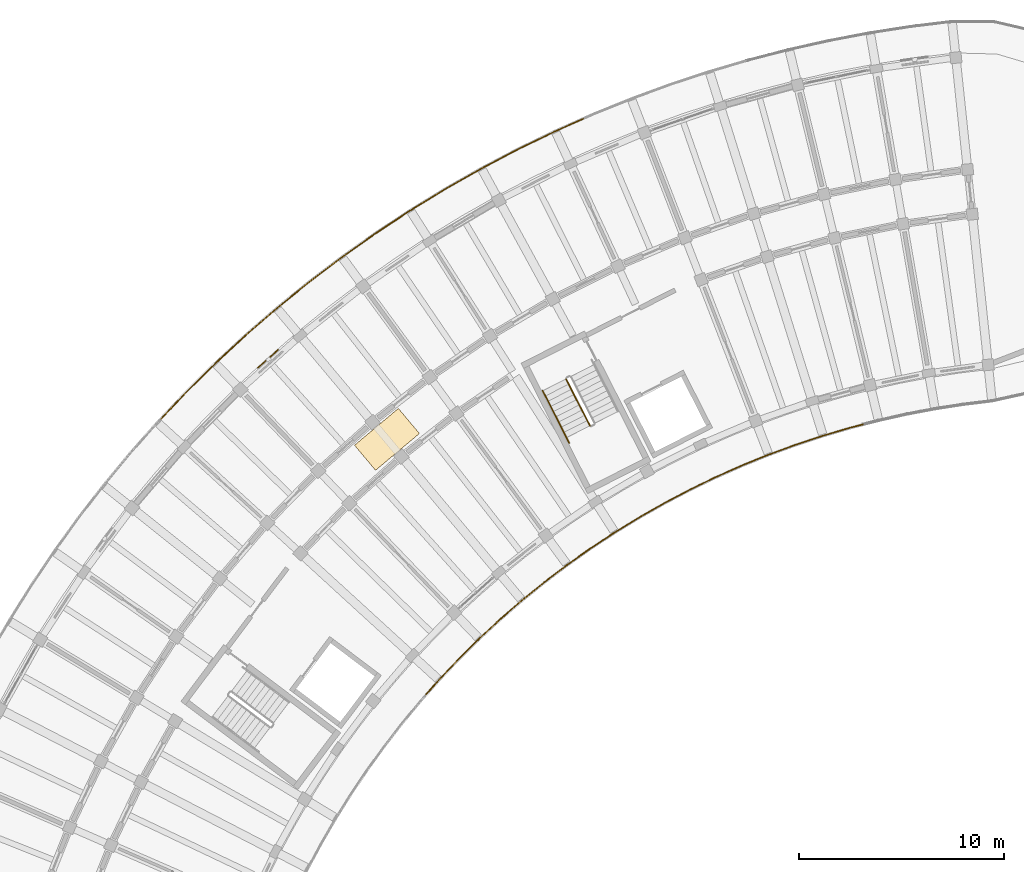
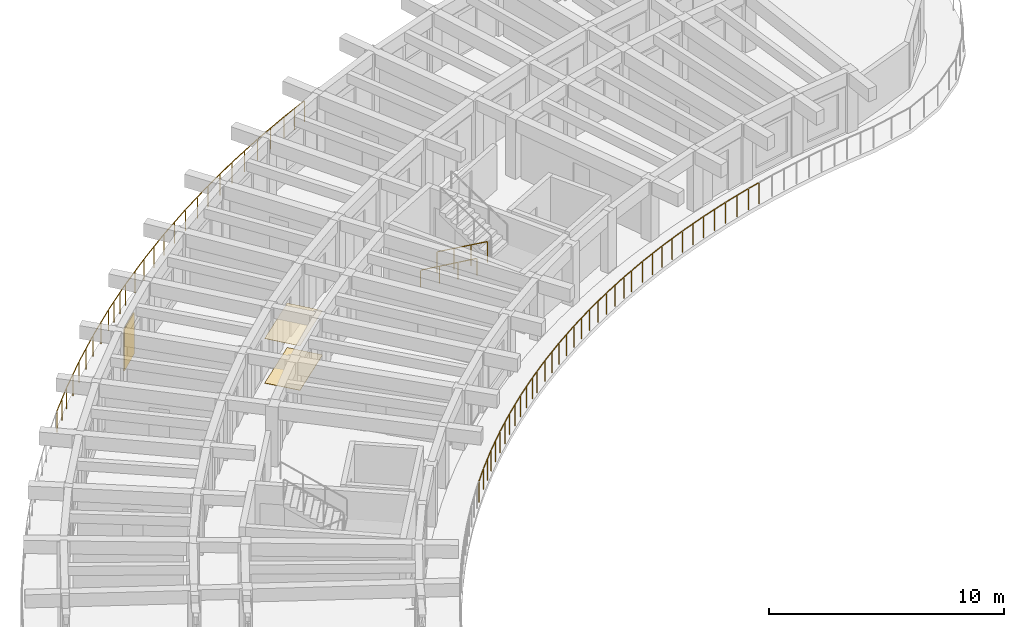
# One storey, part 85 of 96: 10 railings, 2 coverings, 1 shading device.
"""IFC4 building model written with IfcOpenShell, lengths in metres."""

from ifc_helpers import new_model, si_unit, direction, frame, origin, origin_2d, place, context, subcontext, project, spatial, rectangle, circle, extrude, material, layer, layer_set, type_object, element, save


model = new_model("IFC4")

# Units and contexts
model_context = context("Model", 3, precision=1e-05, world=origin(), true_north=direction((0.0, 1.0)))
body_context = subcontext(model_context, "Body", "Model", "MODEL_VIEW")
ifc_project = project(units=[si_unit("LENGTHUNIT", "METRE"), si_unit("AREAUNIT", "SQUARE_METRE"), si_unit("VOLUMEUNIT", "CUBIC_METRE"), si_unit("PLANEANGLEUNIT", "RADIAN"), si_unit("MASSUNIT", "GRAM", prefix="KILO")], contexts=[model_context])

# Site, building, storey
site_placement = place(None, origin())
site = spatial("IfcSite", under=ifc_project, at=site_placement, CompositionType="ELEMENT")
building_placement = place(site_placement, origin())
building = spatial("IfcBuilding", under=site, at=building_placement, Name="Tanwirah Colonnade Gardens", CompositionType="ELEMENT")
storey_placement = place(building_placement, frame((0.0, 0.0, 12.199951171875)))
storey = spatial("IfcBuildingStorey", under=building, at=storey_placement, Name="L03", CompositionType="ELEMENT", Elevation=12.199951171875)

# Railings
ifc_material_1 = material(Name="Precast concrete C40/50", Category="concrete")
railing_type_1 = type_object("IfcRailingType", Name="BAL-EXT112", PredefinedType="BALUSTRADE", material=ifc_material_1)
railing_1_placement = place(storey_placement, frame((54.236083984375, 101.494384765625, 0.0)))
element("IfcRailing", 1, at=railing_1_placement, inside=storey, type_object=railing_type_1, Name="Block A L03 Balcony Ribbon Balustrade 2", PredefinedType="BALUSTRADE", context=body_context, shape_type="SweptSolid", body=[
    extrude(circle(Radius=0.02392578125, at=origin_2d()), frame((-0.0302734375, -0.0078125, 1.09619140625), z_axis=(-0.968166647099, -0.250306499006, 0.0), x_axis=(0.250306499006, -0.968166647099, 0.0)), (0.0, 0.0, 1.0), 0.557861328125),
    extrude(circle(Radius=0.02392578125, at=origin_2d()), frame((-0.63330078125, -0.164794921875, 1.09619140625), z_axis=(-0.959362733044, -0.282175736812, 0.0), x_axis=(0.282175736812, -0.959362733044, 0.0)), (0.0, 0.0, 1.0), 1.341796875),
    extrude(circle(Radius=0.02392578125, at=origin_2d()), frame((-1.98291015625, -0.562744140625, 1.09619140625), z_axis=(-0.949531842797, -0.313670654533, 0.0), x_axis=(0.313670654533, -0.949531842797, 0.0)), (0.0, 0.0, 1.0), 1.341552734375),
    extrude(circle(Radius=0.02392578125, at=origin_2d()), frame((-3.318359375, -1.005126953125, 1.09619140625), z_axis=(-0.93868698515, -0.344770567059, 0.0), x_axis=(0.344770567059, -0.93868698515, 0.0)), (0.0, 0.0, 1.0), 1.341796875),
    extrude(circle(Radius=0.02392578125, at=origin_2d()), frame((-4.638671875, -1.4912109375, 1.09619140625), z_axis=(-0.92683738147, -0.375463005247, 0.0), x_axis=(0.375463005247, -0.92683738147, 0.0)), (0.0, 0.0, 1.0), 1.342041015625),
    extrude(circle(Radius=0.02392578125, at=origin_2d()), frame((-5.942138671875, -2.0205078125, 1.09619140625), z_axis=(-0.913997826773, -0.40571908096, 0.0), x_axis=(0.40571908096, -0.913997826773, 0.0)), (0.0, 0.0, 1.0), 1.342041015625),
    extrude(circle(Radius=0.02392578125, at=origin_2d()), frame((-7.2275390625, -2.592529296875, 1.09619140625), z_axis=(-0.900038195948, -0.435811020783, 0.0), x_axis=(0.435811020783, -0.900038195948, 0.0)), (0.0, 0.0, 1.0), 0.779541015625),
    extrude(circle(Radius=0.02099609375, at=origin_2d()), origin(), (0.0, 0.0, 1.0), 1.069091796875),
    extrude(circle(Radius=0.02099609375, at=origin_2d()), frame((-0.6005859375, -0.1552734375, 0.0)), (0.0, 0.0, 1.0), 1.069091796875),
    extrude(circle(Radius=0.02099609375, at=origin_2d()), frame((-1.27685546875, -0.35400390625, 0.0)), (0.0, 0.0, 1.0), 1.069091796875),
    extrude(circle(Radius=0.02099609375, at=origin_2d()), frame((-1.950439453125, -0.55224609375, 0.0)), (0.0, 0.0, 1.0), 1.069091796875),
    extrude(circle(Radius=0.02099609375, at=origin_2d()), frame((-2.61962890625, -0.773193359375, 0.0)), (0.0, 0.0, 1.0), 1.069091796875),
    extrude(circle(Radius=0.02099609375, at=origin_2d()), frame((-3.286376953125, -0.993408203125, 0.0)), (0.0, 0.0, 1.0), 1.069091796875),
    extrude(circle(Radius=0.02099609375, at=origin_2d()), frame((-3.9482421875, -1.236328125, 0.0)), (0.0, 0.0, 1.0), 1.069091796875),
    extrude(circle(Radius=0.02099609375, at=origin_2d()), frame((-4.607177734375, -1.478515625, 0.0)), (0.0, 0.0, 1.0), 1.069091796875),
    extrude(circle(Radius=0.02099609375, at=origin_2d()), frame((-5.260498046875, -1.7431640625, 0.0)), (0.0, 0.0, 1.0), 1.069091796875),
    extrude(circle(Radius=0.02099609375, at=origin_2d()), frame((-5.911376953125, -2.0068359375, 0.0)), (0.0, 0.0, 1.0), 1.069091796875),
    extrude(circle(Radius=0.02099609375, at=origin_2d()), frame((-6.555419921875, -2.292724609375, 0.0)), (0.0, 0.0, 1.0), 1.069091796875),
    extrude(circle(Radius=0.02099609375, at=origin_2d()), frame((-7.197265625, -2.57763671875, 0.0)), (0.0, 0.0, 1.0), 1.069091796875),
    extrude(circle(Radius=0.02099609375, at=origin_2d()), frame((-7.957275390625, -2.94580078125, 0.0)), (0.0, 0.0, 1.0), 1.069091796875),
])
railing_2_placement = place(storey_placement, frame((46.27880859375, 98.548583984375, 0.0)))
element("IfcRailing", 2, at=railing_2_placement, inside=storey, type_object=railing_type_1, Name="Block A L03 Balcony Ribbon Balustrade 3", PredefinedType="BALUSTRADE", context=body_context, shape_type="SweptSolid", body=[
    extrude(circle(Radius=0.02392578125, at=origin_2d()), frame((-0.028076171875, -0.013671875, 1.09619140625), z_axis=(-0.900252558568, -0.435368040619, 0.0), x_axis=(0.435368040619, -0.900252558568, 0.0)), (0.0, 0.0, 1.0), 0.5),
    extrude(circle(Radius=0.02392578125, at=origin_2d()), frame((-0.5361328125, -0.2607421875, 1.09619140625), z_axis=(-0.885204649416, -0.465201814972, 0.0), x_axis=(0.465201814972, -0.885204649416, 0.0)), (0.0, 0.0, 1.0), 1.341796875),
    extrude(circle(Radius=0.02392578125, at=origin_2d()), frame((-1.78125, -0.916015625, 1.09619140625), z_axis=(-0.869342839865, -0.494209496848, 0.0), x_axis=(0.494209496848, -0.869342839865, 0.0)), (0.0, 0.0, 1.0), 1.342041015625),
    extrude(circle(Radius=0.02392578125, at=origin_2d()), frame((-3.00390625, -1.6123046875, 1.09619140625), z_axis=(-0.852623736113, -0.522525372223, 0.0), x_axis=(0.522525372223, -0.852623736113, 0.0)), (0.0, 0.0, 1.0), 1.342041015625),
    extrude(circle(Radius=0.02392578125, at=origin_2d()), frame((-4.203125, -2.34814453125, 1.09619140625), z_axis=(-0.834927342507, -0.550360184547, 0.0), x_axis=(0.550360184547, -0.834927342507, 0.0)), (0.0, 0.0, 1.0), 1.341796875),
    extrude(circle(Radius=0.02392578125, at=origin_2d()), frame((-5.37744140625, -3.12353515625, 1.09619140625), z_axis=(-0.816321661452, -0.577597563226, 0.0), x_axis=(0.577597563226, -0.816321661452, 0.0)), (0.0, 0.0, 1.0), 1.341552734375),
    extrude(circle(Radius=0.02392578125, at=origin_2d()), frame((-6.525146484375, -3.936767578125, 1.09619140625), z_axis=(-0.796799330669, -0.604244012502, 0.0), x_axis=(0.604244012502, -0.796799330669, 0.0)), (0.0, 0.0, 1.0), 0.837646484375),
    extrude(circle(Radius=0.02099609375, at=origin_2d()), origin(), (0.0, 0.0, 1.0), 1.069091796875),
    extrude(circle(Radius=0.02099609375, at=origin_2d()), frame((-0.50634765625, -0.244873046875, 0.0)), (0.0, 0.0, 1.0), 1.069091796875),
    extrude(circle(Radius=0.02099609375, at=origin_2d()), frame((-1.130126953125, -0.57275390625, 0.0)), (0.0, 0.0, 1.0), 1.069091796875),
    extrude(circle(Radius=0.02099609375, at=origin_2d()), frame((-1.751708984375, -0.8994140625, 0.0)), (0.0, 0.0, 1.0), 1.069091796875),
    extrude(circle(Radius=0.02099609375, at=origin_2d()), frame((-2.36474609375, -1.24755859375, 0.0)), (0.0, 0.0, 1.0), 1.069091796875),
    extrude(circle(Radius=0.02099609375, at=origin_2d()), frame((-2.97509765625, -1.5947265625, 0.0)), (0.0, 0.0, 1.0), 1.069091796875),
    extrude(circle(Radius=0.02099609375, at=origin_2d()), frame((-3.576171875, -1.962890625, 0.0)), (0.0, 0.0, 1.0), 1.069091796875),
    extrude(circle(Radius=0.02099609375, at=origin_2d()), frame((-4.1748046875, -2.329833984375, 0.0)), (0.0, 0.0, 1.0), 1.069091796875),
    extrude(circle(Radius=0.02099609375, at=origin_2d()), frame((-4.76318359375, -2.717529296875, 0.0)), (0.0, 0.0, 1.0), 1.069091796875),
    extrude(circle(Radius=0.02099609375, at=origin_2d()), frame((-5.349609375, -3.10400390625, 0.0)), (0.0, 0.0, 1.0), 1.069091796875),
    extrude(circle(Radius=0.02099609375, at=origin_2d()), frame((-5.9248046875, -3.510986328125, 0.0)), (0.0, 0.0, 1.0), 1.069091796875),
    extrude(circle(Radius=0.02099609375, at=origin_2d()), frame((-6.498046875, -3.91650390625, 0.0)), (0.0, 0.0, 1.0), 1.069091796875),
    extrude(circle(Radius=0.02099609375, at=origin_2d()), frame((-7.217529296875, -4.4619140625, 0.0)), (0.0, 0.0, 1.0), 1.069091796875),
])
railing_3_placement = place(storey_placement, frame((39.061279296875, 94.086669921875, 0.0)))
element("IfcRailing", 3, at=railing_3_placement, inside=storey, type_object=railing_type_1, Name="Block A L03 Balcony Ribbon Balustrade 4", PredefinedType="BALUSTRADE", context=body_context, shape_type="SweptSolid", body=[
    extrude(circle(Radius=0.02392578125, at=origin_2d()), frame((-0.02490234375, -0.018798828125, 1.09619140625), z_axis=(-0.796852005176, -0.604174545845, 0.0), x_axis=(0.604174545845, -0.796852005176, 0.0)), (0.0, 0.0, 1.0), 0.44189453125),
    extrude(circle(Radius=0.02392578125, at=origin_2d()), frame((-0.427978515625, -0.325927734375, 1.09619140625), z_axis=(-0.776491375378, -0.630127879056, 0.0), x_axis=(0.630127879056, -0.776491375378, 0.0)), (0.0, 0.0, 1.0), 1.342041015625),
    extrude(circle(Radius=0.02392578125, at=origin_2d()), frame((-1.52001953125, -1.21337890625, 1.09619140625), z_axis=(-0.755402192857, -0.655261418845, 0.0), x_axis=(0.655261418845, -0.755402192857, 0.0)), (0.0, 0.0, 1.0), 1.341796875),
    extrude(circle(Radius=0.02392578125, at=origin_2d()), frame((-2.58203125, -2.135986328125, 1.09619140625), z_axis=(-0.73336899588, -0.679830799451, 0.0), x_axis=(0.679830799451, -0.73336899588, 0.0)), (0.0, 0.0, 1.0), 1.342041015625),
    extrude(circle(Radius=0.02392578125, at=origin_2d()), frame((-3.61328125, -3.09326171875, 1.09619140625), z_axis=(-0.710488556831, -0.703708754111, 0.0), x_axis=(0.703708754111, -0.710488556831, 0.0)), (0.0, 0.0, 1.0), 1.341796875),
    extrude(circle(Radius=0.02392578125, at=origin_2d()), frame((-4.612060546875, -4.084228515625, 1.09619140625), z_axis=(-0.687011382404, -0.726646654466, 0.0), x_axis=(0.726646654466, -0.687011382404, 0.0)), (0.0, 0.0, 1.0), 1.341796875),
    extrude(circle(Radius=0.02392578125, at=origin_2d()), frame((-5.577880859375, -5.107421875, 1.09619140625), z_axis=(-0.662590378068, -0.74898196967, 0.0), x_axis=(0.74898196967, -0.662590378068, 0.0)), (0.0, 0.0, 1.0), 0.8955078125),
    extrude(circle(Radius=0.02099609375, at=origin_2d()), origin(), (0.0, 0.0, 1.0), 1.069091796875),
    extrude(circle(Radius=0.02099609375, at=origin_2d()), frame((-0.40185546875, -0.3046875, 0.0)), (0.0, 0.0, 1.0), 1.069091796875),
    extrude(circle(Radius=0.02099609375, at=origin_2d()), frame((-0.94921875, -0.74853515625, 0.0)), (0.0, 0.0, 1.0), 1.069091796875),
    extrude(circle(Radius=0.02099609375, at=origin_2d()), frame((-1.494384765625, -1.191162109375, 0.0)), (0.0, 0.0, 1.0), 1.069091796875),
    extrude(circle(Radius=0.02099609375, at=origin_2d()), frame((-2.02685546875, -1.65283203125, 0.0)), (0.0, 0.0, 1.0), 1.069091796875),
    extrude(circle(Radius=0.02099609375, at=origin_2d()), frame((-2.55712890625, -2.113037109375, 0.0)), (0.0, 0.0, 1.0), 1.069091796875),
    extrude(circle(Radius=0.02099609375, at=origin_2d()), frame((-3.07421875, -2.59228515625, 0.0)), (0.0, 0.0, 1.0), 1.069091796875),
    extrude(circle(Radius=0.02099609375, at=origin_2d()), frame((-3.589111328125, -3.069580078125, 0.0)), (0.0, 0.0, 1.0), 1.069091796875),
    extrude(circle(Radius=0.02099609375, at=origin_2d()), frame((-4.08984375, -3.5654296875, 0.0)), (0.0, 0.0, 1.0), 1.069091796875),
    extrude(circle(Radius=0.02099609375, at=origin_2d()), frame((-4.5888671875, -4.0595703125, 0.0)), (0.0, 0.0, 1.0), 1.069091796875),
    extrude(circle(Radius=0.02099609375, at=origin_2d()), frame((-5.072998046875, -4.57177734375, 0.0)), (0.0, 0.0, 1.0), 1.069091796875),
    extrude(circle(Radius=0.02099609375, at=origin_2d()), frame((-5.555419921875, -5.08203125, 0.0)), (0.0, 0.0, 1.0), 1.069091796875),
    extrude(circle(Radius=0.02099609375, at=origin_2d()), frame((-6.19189453125, -5.801513671875, 0.0)), (0.0, 0.0, 1.0), 1.069091796875),
])
railing_4_placement = place(storey_placement, frame((19.91796875, 101.760986328125, 0.0)))
element("IfcRailing", 4, at=railing_4_placement, inside=storey, type_object=railing_type_1, Name="Block A L03 Balcony Ribbon Balustrade 14", PredefinedType="BALUSTRADE", context=body_context, shape_type="SweptSolid", body=[
    extrude(circle(Radius=0.02392578125, at=origin_2d()), frame((0.021484375, 0.022705078125, 1.09619140625), z_axis=(0.686974448696, 0.726681571831, 0.0), x_axis=(-0.726681571831, 0.686974448696, 0.0)), (0.0, 0.0, 1.0), 1.71435546875),
    extrude(circle(Radius=0.02392578125, at=origin_2d()), frame((1.242919921875, 1.313232421875, 1.09619140625), z_axis=(0.710480209462, 0.703717181801, 0.0), x_axis=(-0.703717181801, 0.710480209462, 0.0)), (0.0, 0.0, 1.0), 1.958984375),
    extrude(circle(Radius=0.02392578125, at=origin_2d()), frame((2.679931640625, 2.735107421875, 1.09619140625), z_axis=(0.733352454033, 0.679848643569, 0.0), x_axis=(-0.679848643569, 0.733352454033, 0.0)), (0.0, 0.0, 1.0), 1.958984375),
    extrude(circle(Radius=0.02392578125, at=origin_2d()), frame((4.1630859375, 4.108642578125, 1.09619140625), z_axis=(0.755338292497, 0.655335077565, 0.0), x_axis=(-0.655335077565, 0.755338292497, 0.0)), (0.0, 0.0, 1.0), 1.958984375),
    extrude(circle(Radius=0.02392578125, at=origin_2d()), frame((5.6904296875, 5.4326171875, 1.09619140625), z_axis=(0.776510659425, 0.630104115047, 0.0), x_axis=(-0.630104115047, 0.776510659425, 0.0)), (0.0, 0.0, 1.0), 0.59619140625),
    extrude(circle(Radius=0.02099609375, at=origin_2d()), origin(), (0.0, 0.0, 1.0), 1.069091796875),
    extrude(circle(Radius=0.02099609375, at=origin_2d()), frame((0.6103515625, 0.6455078125, 0.0)), (0.0, 0.0, 1.0), 1.069091796875),
    extrude(circle(Radius=0.02099609375, at=origin_2d()), frame((1.220703125, 1.291259765625, 0.0)), (0.0, 0.0, 1.0), 1.069091796875),
    extrude(circle(Radius=0.02099609375, at=origin_2d()), frame((1.93896484375, 2.00244140625, 0.0)), (0.0, 0.0, 1.0), 1.069091796875),
    extrude(circle(Radius=0.02099609375, at=origin_2d()), frame((2.656982421875, 2.7138671875, 0.0)), (0.0, 0.0, 1.0), 1.069091796875),
    extrude(circle(Radius=0.02099609375, at=origin_2d()), frame((3.398193359375, 3.40087890625, 0.0)), (0.0, 0.0, 1.0), 1.069091796875),
    extrude(circle(Radius=0.02099609375, at=origin_2d()), frame((4.139404296875, 4.088134765625, 0.0)), (0.0, 0.0, 1.0), 1.069091796875),
    extrude(circle(Radius=0.02099609375, at=origin_2d()), frame((4.90283203125, 4.75048828125, 0.0)), (0.0, 0.0, 1.0), 1.069091796875),
    extrude(circle(Radius=0.02099609375, at=origin_2d()), frame((5.666259765625, 5.412841796875, 0.0)), (0.0, 0.0, 1.0), 1.069091796875),
    extrude(circle(Radius=0.02099609375, at=origin_2d()), frame((6.177734375, 5.827880859375, 0.0)), (0.0, 0.0, 1.0), 1.069091796875),
])
railing_5_placement = place(storey_placement, frame((26.095703125, 107.5888671875, 0.0)))
element("IfcRailing", 5, at=railing_5_placement, inside=storey, type_object=railing_type_1, Name="Block A L03 Balcony Ribbon Balustrade 15", PredefinedType="BALUSTRADE", context=body_context, shape_type="SweptSolid", body=[
    extrude(circle(Radius=0.02392578125, at=origin_2d()), frame((0.024169921875, 0.019775390625, 1.09619140625), z_axis=(0.776568601174, 0.630032703652, 0.0), x_axis=(-0.630032703652, 0.776568601174, 0.0)), (0.0, 0.0, 1.0), 1.30029296875),
    extrude(circle(Radius=0.02392578125, at=origin_2d()), frame((1.083251953125, 0.87744140625, 1.09619140625), z_axis=(0.796887753746, 0.604127393792, 0.0), x_axis=(-0.604127393792, 0.796887753746, 0.0)), (0.0, 0.0, 1.0), 1.958984375),
    extrude(circle(Radius=0.02392578125, at=origin_2d()), frame((2.69482421875, 2.097900390625, 1.09619140625), z_axis=(0.816344803849, 0.577564854565, 0.0), x_axis=(-0.577564854565, 0.816344803849, 0.0)), (0.0, 0.0, 1.0), 1.958740234375),
    extrude(circle(Radius=0.02392578125, at=origin_2d()), frame((4.345458984375, 3.264404296875, 1.09619140625), z_axis=(0.834955682369, 0.550317188973, 0.0), x_axis=(-0.550317188973, 0.834955682369, 0.0)), (0.0, 0.0, 1.0), 1.959228515625),
    extrude(circle(Radius=0.02392578125, at=origin_2d()), frame((6.033935546875, 4.376220703125, 1.09619140625), z_axis=(0.852594710096, 0.522572732082, 0.0), x_axis=(-0.522572732082, 0.852594710096, 0.0)), (0.0, 0.0, 1.0), 1.01025390625),
    extrude(circle(Radius=0.02099609375, at=origin_2d()), origin(), (0.0, 0.0, 1.0), 1.069091796875),
    extrude(circle(Radius=0.02099609375, at=origin_2d()), frame((0.529296875, 0.42919921875, 0.0)), (0.0, 0.0, 1.0), 1.069091796875),
    extrude(circle(Radius=0.02099609375, at=origin_2d()), frame((1.058349609375, 0.858642578125, 0.0)), (0.0, 0.0, 1.0), 1.069091796875),
    extrude(circle(Radius=0.02099609375, at=origin_2d()), frame((1.86376953125, 1.46923828125, 0.0)), (0.0, 0.0, 1.0), 1.069091796875),
    extrude(circle(Radius=0.02099609375, at=origin_2d()), frame((2.669189453125, 2.079833984375, 0.0)), (0.0, 0.0, 1.0), 1.069091796875),
    extrude(circle(Radius=0.02099609375, at=origin_2d()), frame((3.494140625, 2.66357421875, 0.0)), (0.0, 0.0, 1.0), 1.069091796875),
    extrude(circle(Radius=0.02099609375, at=origin_2d()), frame((4.3193359375, 3.247314453125, 0.0)), (0.0, 0.0, 1.0), 1.069091796875),
    extrude(circle(Radius=0.02099609375, at=origin_2d()), frame((5.163330078125, 3.8037109375, 0.0)), (0.0, 0.0, 1.0), 1.069091796875),
    extrude(circle(Radius=0.02099609375, at=origin_2d()), frame((6.00732421875, 4.35986328125, 0.0)), (0.0, 0.0, 1.0), 1.069091796875),
    extrude(circle(Radius=0.02099609375, at=origin_2d()), frame((6.921875, 4.92041015625, 0.0)), (0.0, 0.0, 1.0), 1.069091796875),
])
railing_6_placement = place(storey_placement, frame((33.017578125, 112.50927734375, 0.0)))
element("IfcRailing", 6, at=railing_6_placement, inside=storey, type_object=railing_type_1, Name="Block A L03 Balcony Ribbon Balustrade 16", PredefinedType="BALUSTRADE", context=body_context, shape_type="SweptSolid", body=[
    extrude(circle(Radius=0.02392578125, at=origin_2d()), frame((0.026611328125, 0.016357421875, 1.09619140625), z_axis=(0.852734357798, 0.522344823877, 0.0), x_axis=(-0.522344823877, 0.852734357798, 0.0)), (0.0, 0.0, 1.0), 0.88623046875),
    extrude(circle(Radius=0.02392578125, at=origin_2d()), frame((0.836181640625, 0.510986328125, 1.09619140625), z_axis=(0.869392881113, 0.494121461049, 0.0), x_axis=(-0.494121461049, 0.869392881113, 0.0)), (0.0, 0.0, 1.0), 1.958740234375),
    extrude(circle(Radius=0.02392578125, at=origin_2d()), frame((2.593994140625, 1.509033203125, 1.09619140625), z_axis=(0.885211446817, 0.465188880374, 0.0), x_axis=(-0.465188880374, 0.885211446817, 0.0)), (0.0, 0.0, 1.0), 1.958984375),
    extrude(circle(Radius=0.02392578125, at=origin_2d()), frame((4.384033203125, 2.448486328125, 1.09619140625), z_axis=(0.900055350621, 0.435775591122, 0.0), x_axis=(-0.435775591122, 0.900055350621, 0.0)), (0.0, 0.0, 1.0), 1.958740234375),
    extrude(circle(Radius=0.02392578125, at=origin_2d()), frame((6.203857421875, 3.328369140625, 1.09619140625), z_axis=(0.913919852198, 0.405894695406, 0.0), x_axis=(-0.405894695406, 0.913919852198, 0.0)), (0.0, 0.0, 1.0), 1.42431640625),
    extrude(circle(Radius=0.02099609375, at=origin_2d()), origin(), (0.0, 0.0, 1.0), 1.069091796875),
    extrude(circle(Radius=0.02099609375, at=origin_2d()), frame((0.80908203125, 0.49560546875, 0.0)), (0.0, 0.0, 1.0), 1.069091796875),
    extrude(circle(Radius=0.02099609375, at=origin_2d()), frame((1.687744140625, 0.9951171875, 0.0)), (0.0, 0.0, 1.0), 1.069091796875),
    extrude(circle(Radius=0.02099609375, at=origin_2d()), frame((2.56640625, 1.494384765625, 0.0)), (0.0, 0.0, 1.0), 1.069091796875),
    extrude(circle(Radius=0.02099609375, at=origin_2d()), frame((3.461181640625, 1.964599609375, 0.0)), (0.0, 0.0, 1.0), 1.069091796875),
    extrude(circle(Radius=0.02099609375, at=origin_2d()), frame((4.35595703125, 2.434814453125, 0.0)), (0.0, 0.0, 1.0), 1.069091796875),
    extrude(circle(Radius=0.02099609375, at=origin_2d()), frame((5.265625, 2.875244140625, 0.0)), (0.0, 0.0, 1.0), 1.069091796875),
    extrude(circle(Radius=0.02099609375, at=origin_2d()), frame((6.17529296875, 3.315673828125, 0.0)), (0.0, 0.0, 1.0), 1.069091796875),
    extrude(circle(Radius=0.02099609375, at=origin_2d()), frame((6.854736328125, 3.617431640625, 0.0)), (0.0, 0.0, 1.0), 1.069091796875),
    extrude(circle(Radius=0.02099609375, at=origin_2d()), frame((7.5341796875, 3.919189453125, 0.0)), (0.0, 0.0, 1.0), 1.069091796875),
])

# Coverings
ifc_material_2 = material(Name="Acoustic perforated gypsum ceiling board")
ifc_layer_1 = layer(ifc_material_2, 0.014892578125)
ifc_layer_set_1 = layer_set([ifc_layer_1], Name="Acoustic perforated gypsum ceiling board")
covering_type_1 = type_object("IfcCoveringType", Name="COV-CEIL15", PredefinedType="CEILING", material=ifc_layer_set_1)
covering_1_placement = place(storey_placement, frame((30.96435546875, 100.761962890625, 2.3125), z_axis=(0.0, 0.0, 1.0), x_axis=(-0.766044443119, -0.642787609687, 0.0)))
element("IfcCovering", 7, at=covering_1_placement, inside=storey, type_object=covering_type_1, Name="Block A L03 Corridor Acoustic Ceiling", PredefinedType="CEILING", context=body_context, shape_type="SweptSolid", body=[
    extrude(rectangle(XDim=2.800048828125, YDim=1.60009765625, at=origin_2d()), origin(), (0.0, 0.0, 1.0), 0.014892578125),
])
ifc_material_3 = material(Name="Honed Abu Dhabi limestone terrazzo flooring", Category="masonry")
ifc_layer_2 = layer(ifc_material_3, 0.02001953125)
ifc_layer_set_2 = layer_set([ifc_layer_2], Name="Honed Abu Dhabi limestone terrazzo flooring")
covering_type_2 = type_object("IfcCoveringType", Name="COV-FLR20", PredefinedType="FLOORING", material=ifc_layer_set_2)
covering_2_placement = place(storey_placement, frame((30.96435546875, 100.761962890625, 0.0), z_axis=(0.0, 0.0, 1.0), x_axis=(-0.766044443119, -0.642787609687, 0.0)))
element("IfcCovering", 8, at=covering_2_placement, inside=storey, type_object=covering_type_2, Name="Block A L03 Corridor Terrazzo Flooring", PredefinedType="FLOORING", context=body_context, shape_type="SweptSolid", body=[
    extrude(rectangle(XDim=2.800048828125, YDim=1.60009765625, at=origin_2d()), origin(), (0.0, 0.0, 1.0), 0.02001953125),
])

# Railings
ifc_material_4 = material(Name="Powder-coated galvanized steel", Category="steel")
railing_type_2 = type_object("IfcRailingType", Name="GRD-ST110", PredefinedType="GUARDRAIL", material=ifc_material_4)
railing_7_placement = place(storey_placement, frame((39.718994140625, 103.715576171875, 0.16796875)))
element("IfcRailing", 9, at=railing_7_placement, inside=storey, type_object=railing_type_2, Name="L03 ST-A1 stair guard 1", PredefinedType="GUARDRAIL", context=body_context, shape_type="SweptSolid", body=[
    extrude(circle(Radius=0.02392578125, at=origin_2d()), frame((0.01220703125, -0.02392578125, 1.092041015625), z_axis=(0.391052831089, -0.767591854021, 0.507819287678), x_axis=(0.891032232724, 0.453940040365, 0.0)), (0.0, 0.0, 1.0), 2.914794921875),
    extrude(circle(Radius=0.02099609375, at=origin_2d()), origin(), (0.0, 0.0, 1.0), 1.049072265625),
    extrude(circle(Radius=0.02099609375, at=origin_2d()), frame((0.38818359375, -0.76171875, 0.50390625)), (0.0, 0.0, 1.0), 1.049072265625),
    extrude(circle(Radius=0.02099609375, at=origin_2d()), frame((0.776123046875, -1.523681640625, 1.008056640625)), (0.0, 0.0, 1.0), 1.049072265625),
    extrude(circle(Radius=0.02099609375, at=origin_2d()), frame((1.164306640625, -2.285400390625, 1.511962890625)), (0.0, 0.0, 1.0), 1.049072265625),
])
ifc_material_5 = material(Name="Brushed bronze stainless steel", Category="steel")
railing_type_3 = type_object("IfcRailingType", Name="HR-ST090", PredefinedType="HANDRAIL", material=ifc_material_5)
railing_8_placement = place(storey_placement, frame((38.578369140625, 103.134521484375, 0.16796875)))
element("IfcRailing", 10, at=railing_8_placement, inside=storey, type_object=railing_type_3, Name="L03 ST-A1 stair handrail 1", PredefinedType="HANDRAIL", context=body_context, shape_type="SweptSolid", body=[
    extrude(circle(Radius=0.02392578125, at=origin_2d()), frame((0.01220703125, -0.02392578125, 0.891845703125), z_axis=(0.390007559961, -0.765447774728, 0.511843537946), x_axis=(0.891010084603, 0.453983511965, 0.0)), (0.0, 0.0, 1.0), 1.043701171875),
    extrude(circle(Radius=0.02099609375, at=origin_2d()), origin(), (0.0, 0.0, 1.0), 0.848876953125),
    extrude(circle(Radius=0.02099609375, at=origin_2d()), frame((0.431396484375, -0.8466796875, 0.566162109375)), (0.0, 0.0, 1.0), 0.848876953125),
])
railing_9_placement = place(storey_placement, frame((39.009765625, 102.287841796875, 0.734130859375)))
element("IfcRailing", 11, at=railing_9_placement, inside=storey, type_object=railing_type_3, Name="L03 ST-A1 stair handrail 2", PredefinedType="HANDRAIL", context=body_context, shape_type="SweptSolid", body=[
    extrude(circle(Radius=0.02392578125, at=origin_2d()), frame((0.01220703125, -0.02392578125, 0.891845703125), z_axis=(0.38993033558, -0.765508761867, 0.511811165275), x_axis=(0.891061070925, 0.453883429839, 0.0)), (0.0, 0.0, 1.0), 1.043212890625),
    extrude(circle(Radius=0.02099609375, at=origin_2d()), origin(), (0.0, 0.0, 1.0), 0.848876953125),
    extrude(circle(Radius=0.02099609375, at=origin_2d()), frame((0.43115234375, -0.846435546875, 0.56591796875)), (0.0, 0.0, 1.0), 0.848876953125),
])
railing_10_placement = place(storey_placement, frame((39.44091796875, 101.44140625, 1.300048828125)))
element("IfcRailing", 12, at=railing_10_placement, inside=storey, type_object=railing_type_3, Name="L03 ST-A1 stair handrail 3", PredefinedType="HANDRAIL", context=body_context, shape_type="SweptSolid", body=[
    extrude(circle(Radius=0.02392578125, at=origin_2d()), frame((0.01220703125, -0.02392578125, 0.891845703125), z_axis=(0.390117538533, -0.765442844423, 0.51176709356), x_axis=(0.890957114254, 0.454087459154, 0.0)), (0.0, 0.0, 1.0), 1.043212890625),
    extrude(circle(Radius=0.02099609375, at=origin_2d()), origin(), (0.0, 0.0, 1.0), 0.848876953125),
    extrude(circle(Radius=0.02099609375, at=origin_2d()), frame((0.431396484375, -0.846435546875, 0.56591796875)), (0.0, 0.0, 1.0), 0.848876953125),
])

# Shading device
ifc_material_6 = material(Name="Perforated architectural bronze aluminium", Category="aluminium")
ifc_layer_3 = layer(ifc_material_6, 0.044921875)
ifc_layer_set_3 = layer_set([ifc_layer_3], Name="Perforated architectural bronze aluminium")
shading_device_type = type_object("IfcShadingDeviceType", Name="SHD-MSH1", PredefinedType="JALOUSIE", material=ifc_layer_set_3)
shading_device_placement = place(storey_placement, frame((25.147216796875, 104.69775390625, 0.0), z_axis=(0.0, 0.0, 1.0), x_axis=(-0.744443246346, -0.667685744172, 0.0)))
element("IfcShadingDevice", 13, at=shading_device_placement, inside=storey, type_object=shading_device_type, Name="Bronze mashrabiya solar screen A-L03-09", PredefinedType="JALOUSIE", context=body_context, shape_type="SweptSolid", body=[
    extrude(rectangle(XDim=1.35009765625, YDim=0.044921875, at=origin_2d()), origin(), (0.0, 0.0, 1.0), 2.159912109375),
])

save(model, "model.ifc")
